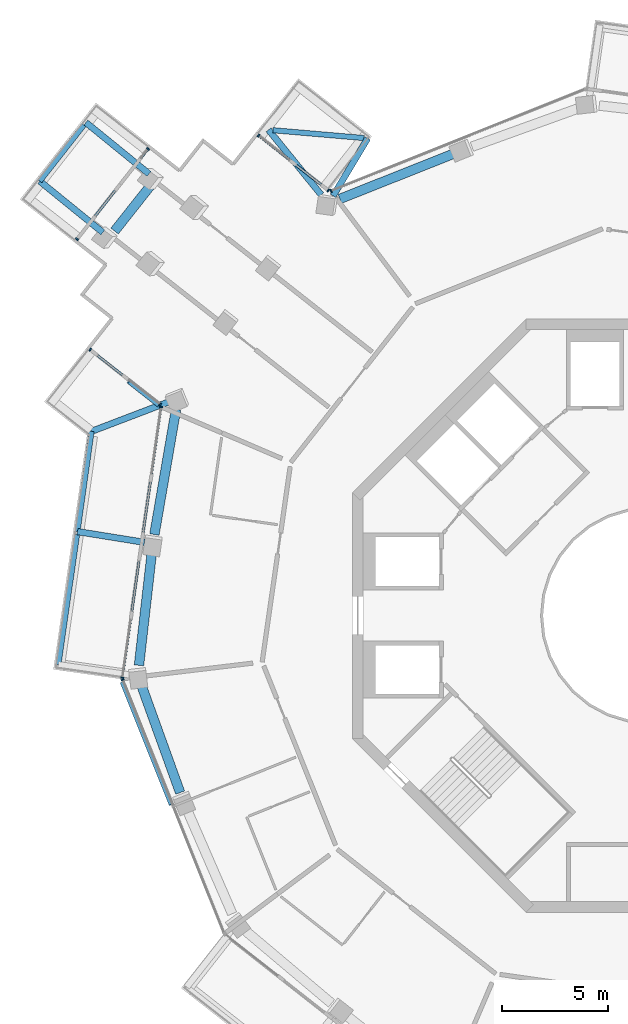
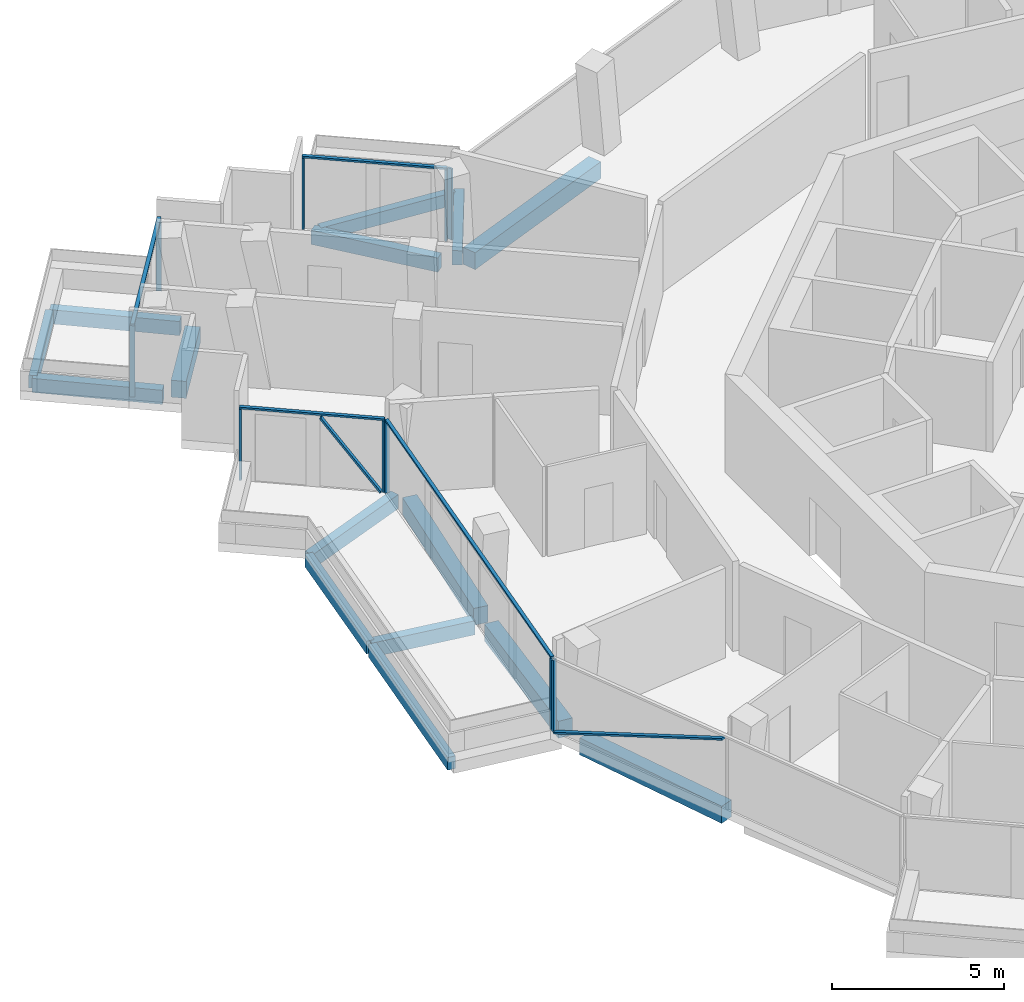
# One storey, part 6 of 23: 16 members, 15 beams, 6 elements without a shape of their own.
"""IFC4 building model written with IfcOpenShell, lengths in metres."""

from ifc_helpers import new_model, si_unit, direction, frame, origin, origin_2d, place, context, subcontext, project, spatial, rectangle, extrude, material, layer, layer_set, material_profile, profile_set, type_object, element, aggregate, save


model = new_model("IFC4")

# Units and contexts
model_context = context("Model", 3, precision=1e-05, world=origin(), true_north=direction((0.0, 1.0)))
body_context = subcontext(model_context, "Body", "Model", "MODEL_VIEW")
ifc_project = project(units=[si_unit("LENGTHUNIT", "METRE"), si_unit("AREAUNIT", "SQUARE_METRE"), si_unit("VOLUMEUNIT", "CUBIC_METRE"), si_unit("PLANEANGLEUNIT", "RADIAN"), si_unit("MASSUNIT", "GRAM", prefix="KILO")], contexts=[model_context])

# Site, building, storey
site_placement = place(None, origin())
site = spatial("IfcSite", under=ifc_project, at=site_placement, CompositionType="ELEMENT")
building_placement = place(site_placement, origin())
building = spatial("IfcBuilding", under=site, at=building_placement, Name="Verdalira Terraces Hotel", CompositionType="ELEMENT")
storey_placement = place(building_placement, frame((0.0, 0.0, 244.5)))
storey = spatial("IfcBuildingStorey", under=building, at=storey_placement, Name="L60", CompositionType="ELEMENT", Elevation=244.5)

# Beams
ifc_material_1 = material(Name="Concrete C40", Category="concrete")
ifc_material_profile_1 = material_profile(ifc_material_1, rectangle(XDim=0.300049, YDim=0.5, at=origin_2d()), Name="RC 300X500")
ifc_profile_set_1 = profile_set([ifc_material_profile_1], Name="Concrete C40")
beam_type_1 = type_object("IfcBeamType", Name="Balcony cantilever beam RC 300X500 C40", PredefinedType="BEAM", material=ifc_profile_set_1)
beam_1_placement = place(storey_placement, frame((-15.465576, 19.852539, -0.560059), z_axis=(-0.629754587, 0.776794156, 0.0), x_axis=(-0.776794156, -0.629754587, 0.0)))
element("IfcBeam", 1, at=beam_1_placement, inside=storey, type_object=beam_type_1, Name="Balcony cantilever beam R00-1", PredefinedType="BEAM", context=body_context, shape_type="SweptSolid", body=[
    extrude(rectangle(XDim=0.300049, YDim=0.5, at=origin_2d()), origin(), (0.0, 0.0, 1.0), 3.949951),
])
beam_2_placement = place(storey_placement, frame((-14.905518, 19.805176, -0.560059), z_axis=(0.514552504, 0.857458874, 0.0), x_axis=(-0.857458874, 0.514552504, 0.0)))
element("IfcBeam", 2, at=beam_2_placement, inside=storey, type_object=beam_type_1, Name="Balcony cantilever beam R00-2", PredefinedType="BEAM", context=body_context, shape_type="SweptSolid", body=[
    extrude(rectangle(XDim=0.300049, YDim=0.5, at=origin_2d()), origin(), (0.0, 0.0, 1.0), 3.16333),
])
beam_3_placement = place(storey_placement, frame((-23.592773, 20.842529, -0.560059), z_axis=(-0.775839809, 0.630929941, 0.0), x_axis=(-0.630929941, -0.775839809, 0.0)))
element("IfcBeam", 3, at=beam_3_placement, inside=storey, type_object=beam_type_1, Name="Balcony cantilever beam R05-1", PredefinedType="BEAM", context=body_context, shape_type="SweptSolid", body=[
    extrude(rectangle(XDim=0.300049, YDim=0.5, at=origin_2d()), origin(), (0.0, 0.0, 1.0), 3.841309),
])
beam_4_placement = place(storey_placement, frame((-25.771729, 18.078125, -0.560059), z_axis=(-0.775845268, 0.630923228, 0.0), x_axis=(-0.630923228, -0.775845268, 0.0)))
element("IfcBeam", 4, at=beam_4_placement, inside=storey, type_object=beam_type_1, Name="Balcony cantilever beam R05-2", PredefinedType="BEAM", context=body_context, shape_type="SweptSolid", body=[
    extrude(rectangle(XDim=0.300049, YDim=0.5, at=origin_2d()), origin(), (0.0, 0.0, 1.0), 3.835938),
])
beam_5_placement = place(storey_placement, frame((-22.612305, 10.102783, -0.560059), z_axis=(-0.934320205, -0.356434783, 0.0), x_axis=(0.356434783, -0.934320205, 0.0)))
element("IfcBeam", 5, at=beam_5_placement, inside=storey, type_object=beam_type_1, Name="Balcony cantilever beam R10-1", PredefinedType="BEAM", context=body_context, shape_type="SweptSolid", body=[
    extrude(rectangle(XDim=0.300049, YDim=0.5, at=origin_2d()), origin(), (0.0, 0.0, 1.0), 3.950195),
])
beam_6_placement = place(storey_placement, frame((-23.808594, 3.456055, -0.560059), z_axis=(-0.987357672, 0.158508131, 0.0), x_axis=(-0.158508131, -0.987357672, 0.0)))
element("IfcBeam", 6, at=beam_6_placement, inside=storey, type_object=beam_type_1, Name="Balcony cantilever beam R10-2", PredefinedType="BEAM", context=body_context, shape_type="SweptSolid", body=[
    extrude(rectangle(XDim=0.300049, YDim=0.5, at=origin_2d()), origin(), (0.0, 0.0, 1.0), 3.200684),
])
ifc_material_2 = material(Name="Concrete C40", Category="concrete")
ifc_material_profile_2 = material_profile(ifc_material_2, rectangle(XDim=0.25, YDim=0.449951, at=origin_2d()), Name="RC 250X450")
ifc_profile_set_2 = profile_set([ifc_material_profile_2], Name="Concrete C40")
beam_type_2 = type_object("IfcBeamType", Name="Balcony edge beam RC 250X450 C40", PredefinedType="BEAM", material=ifc_profile_set_2)
beam_7_placement = place(storey_placement, frame((-17.745605, 22.903076, -0.534912), z_axis=(0.996299344, -0.085951246, 0.0), x_axis=(0.085951246, 0.996299344, 0.0)))
element("IfcBeam", 7, at=beam_7_placement, inside=storey, type_object=beam_type_2, Name="Balcony edge beam R00-1", PredefinedType="BEAM", context=body_context, shape_type="SweptSolid", body=[
    extrude(rectangle(XDim=0.25, YDim=0.449951, at=origin_2d()), origin(), (0.0, 0.0, 1.0), 4.317383),
])
beam_8_placement = place(storey_placement, frame((-26.665527, 23.148193, -0.534912), z_axis=(-0.617859943, -0.786288173, 0.0), x_axis=(0.786288173, -0.617859943, 0.0)))
element("IfcBeam", 8, at=beam_8_placement, inside=storey, type_object=beam_type_2, Name="Balcony edge beam R05-1", PredefinedType="BEAM", context=body_context, shape_type="SweptSolid", body=[
    extrude(rectangle(XDim=0.25, YDim=0.449951, at=origin_2d()), origin(), (0.0, 0.0, 1.0), 3.370117),
])
beam_9_placement = place(storey_placement, frame((-26.302979, 8.694824, -0.534912), z_axis=(-0.139339384, -0.990244685, 0.0), x_axis=(0.990244685, -0.139339384, 0.0)))
element("IfcBeam", 9, at=beam_9_placement, inside=storey, type_object=beam_type_2, Name="Balcony edge beam R10-1", PredefinedType="BEAM", context=body_context, shape_type="SweptSolid", body=[
    extrude(rectangle(XDim=0.25, YDim=0.449951, at=origin_2d()), origin(), (0.0, 0.0, 1.0), 4.778076),
])
beam_10_placement = place(storey_placement, frame((-26.98999, 3.814941, -0.534912), z_axis=(-0.141961917, -0.98987212, 0.0), x_axis=(0.98987212, -0.141961917, 0.0)))
element("IfcBeam", 10, at=beam_10_placement, inside=storey, type_object=beam_type_2, Name="Balcony edge beam R10-2", PredefinedType="BEAM", context=body_context, shape_type="SweptSolid", body=[
    extrude(rectangle(XDim=0.25, YDim=0.449951, at=origin_2d()), origin(), (0.0, 0.0, 1.0), 6.196289),
])

# Curtain wall, members
ifc_material_3 = material(Name="Clear glass", Category="glass")
ifc_layer_1 = layer(ifc_material_3, 0.14990234375)
ifc_layer_set_1 = layer_set([ifc_layer_1], Name="CW1 curtain wall")
curtain_wall_type_1 = type_object("IfcCurtainWallType", Name="CW1 curtain wall", PredefinedType="NOTDEFINED", material=ifc_layer_set_1)
curtain_wall_1_placement = place(storey_placement, origin())
curtain_wall_1 = element("IfcCurtainWall", 11, at=curtain_wall_1_placement, inside=storey, type_object=curtain_wall_type_1, Name="CW1 curtain wall L60 edge 11", PredefinedType="NOTDEFINED")
ifc_material_4 = material(Name="Terracotta frame", Category="masonry")
ifc_material_profile_3 = material_profile(ifc_material_4, rectangle(XDim=0.060059, YDim=0.149902, at=origin_2d()), Name="MU 60x150")
ifc_profile_set_3 = profile_set([ifc_material_profile_3], Name="Terracotta frame")
member_type_1 = type_object("IfcMemberType", Name="CW1 mullion 60x150", PredefinedType="MULLION", material=ifc_profile_set_3)
member_1_placement = place(storey_placement, frame((-23.020264, 9.836914, 0.0), z_axis=(0.0, 0.0, 1.0), x_axis=(-0.141937905, -0.989875563, 0.0)))
member_1 = element("IfcMember", 12, at=member_1_placement, type_object=member_type_1, Name="CW1 mullion", PredefinedType="MULLION", context=body_context, shape_type="SweptSolid", body=[
    extrude(rectangle(XDim=0.060059, YDim=0.149902, at=origin_2d()), origin(), (0.0, 0.0, 1.0), 2.524902),
])
member_2_placement = place(storey_placement, frame((-24.851074, -2.932129, 0.0), z_axis=(0.0, 0.0, 1.0), x_axis=(-0.141937905, -0.989875563, 0.0)))
member_2 = element("IfcMember", 13, at=member_2_placement, type_object=member_type_1, Name="CW1 mullion", PredefinedType="MULLION", context=body_context, shape_type="SweptSolid", body=[
    extrude(rectangle(XDim=0.060059, YDim=0.149902, at=origin_2d()), origin(), (0.0, 0.0, 1.0), 2.524902),
])

# Curtain wall, member
curtain_wall_2_placement = place(storey_placement, origin())
curtain_wall_2 = element("IfcCurtainWall", 14, at=curtain_wall_2_placement, inside=storey, type_object=curtain_wall_type_1, Name="CW1 curtain wall L60 edge 12", PredefinedType="NOTDEFINED")
member_3_placement = place(storey_placement, frame((-24.8396, -3.02832, 0.0), z_axis=(0.0, 0.0, 1.0), x_axis=(0.37201595, -0.928226337, 0.0)))
member_3 = element("IfcMember", 15, at=member_3_placement, type_object=member_type_1, Name="CW1 mullion", PredefinedType="MULLION", context=body_context, shape_type="SweptSolid", body=[
    extrude(rectangle(XDim=0.060059, YDim=0.149902, at=origin_2d()), origin(), (0.0, 0.0, 1.0), 2.524902),
])

curtain_wall_3_placement = place(storey_placement, origin())
curtain_wall_3 = element("IfcCurtainWall", 16, at=curtain_wall_3_placement, inside=storey, type_object=curtain_wall_type_1, Name="CW1 curtain wall L60 edge 41", PredefinedType="NOTDEFINED")
member_4_placement = place(storey_placement, frame((-15.002197, 20.040771, 0.0), z_axis=(0.0, 0.0, 1.0), x_axis=(-0.928226337, -0.37201595, 0.0)))
member_4 = element("IfcMember", 17, at=member_4_placement, type_object=member_type_1, Name="CW1 mullion", PredefinedType="MULLION", context=body_context, shape_type="SweptSolid", body=[
    extrude(rectangle(XDim=0.060059, YDim=0.149902, at=origin_2d()), origin(), (0.0, 0.0, 1.0), 2.524902),
])
aggregate(curtain_wall_3, [member_4])

# Member
ifc_material_5 = material(Name="Terracotta frame", Category="masonry")
ifc_material_profile_4 = material_profile(ifc_material_5, rectangle(XDim=0.110107, YDim=0.064941, at=origin_2d()), Name="TR 65x110")
ifc_profile_set_4 = profile_set([ifc_material_profile_4], Name="Terracotta frame")
member_type_2 = type_object("IfcMemberType", Name="CW1 transom 65x110", PredefinedType="USERDEFINED", material=ifc_profile_set_4)
member_5_placement = place(storey_placement, frame((-23.015869, 9.866699, 2.557617), z_axis=(-0.14194617, -0.989874378, 0.0), x_axis=(0.989874378, -0.14194617, 0.0)))
member_5 = element("IfcMember", 18, at=member_5_placement, type_object=member_type_2, Name="CW1 transom", ObjectType="TRANSOM", PredefinedType="USERDEFINED", context=body_context, shape_type="SweptSolid", body=[
    extrude(rectangle(XDim=0.110107, YDim=0.064941, at=origin_2d()), origin(), (0.0, 0.0, 1.0), 12.959961),
])

aggregate(curtain_wall_1, [member_1, member_2, member_5])

# Curtain wall, members
ifc_material_6 = material(Name="Clear glass", Category="glass")
ifc_layer_2 = layer(ifc_material_6, 0.14990234375)
ifc_layer_set_2 = layer_set([ifc_layer_2], Name="CW2 curtain wall")
curtain_wall_type_2 = type_object("IfcCurtainWallType", Name="CW2 curtain wall", PredefinedType="NOTDEFINED", material=ifc_layer_set_2)
curtain_wall_4_placement = place(storey_placement, origin())
curtain_wall_4 = element("IfcCurtainWall", 19, at=curtain_wall_4_placement, inside=storey, type_object=curtain_wall_type_2, Name="CW2 curtain wall L60 edge 0", PredefinedType="NOTDEFINED")
ifc_material_7 = material(Name="Terracotta frame", Category="masonry")
ifc_material_profile_5 = material_profile(ifc_material_7, rectangle(XDim=0.070068, YDim=0.149902, at=origin_2d()), Name="MU 70x150")
ifc_profile_set_5 = profile_set([ifc_material_profile_5], Name="Terracotta frame")
member_type_3 = type_object("IfcMemberType", Name="CW2 mullion 70x150", PredefinedType="MULLION", material=ifc_profile_set_5)
member_6_placement = place(storey_placement, frame((-15.131836, 20.061768, 0.0), z_axis=(0.0, 0.0, 1.0), x_axis=(-0.786288432, 0.617859613, 0.0)))
member_6 = element("IfcMember", 20, at=member_6_placement, type_object=member_type_3, Name="CW2 mullion", PredefinedType="MULLION", context=body_context, shape_type="SweptSolid", body=[
    extrude(rectangle(XDim=0.070068, YDim=0.149902, at=origin_2d()), origin(), (0.0, 0.0, 1.0), 2.524902),
])
member_7_placement = place(storey_placement, frame((-18.427002, 22.651123, 0.0), z_axis=(0.0, 0.0, 1.0), x_axis=(-0.786288432, 0.617859613, 0.0)))
member_7 = element("IfcMember", 21, at=member_7_placement, type_object=member_type_3, Name="CW2 mullion", PredefinedType="MULLION", context=body_context, shape_type="SweptSolid", body=[
    extrude(rectangle(XDim=0.070068, YDim=0.149902, at=origin_2d()), origin(), (0.0, 0.0, 1.0), 2.524902),
])

curtain_wall_5_placement = place(storey_placement, origin())
curtain_wall_5 = element("IfcCurtainWall", 22, at=curtain_wall_5_placement, inside=storey, type_object=curtain_wall_type_2, Name="CW2 curtain wall L60 edge 10", PredefinedType="NOTDEFINED")
member_8_placement = place(storey_placement, frame((-26.366455, 12.547363, 0.0), z_axis=(0.0, 0.0, 1.0), x_axis=(0.786288432, -0.617859613, 0.0)))
member_8 = element("IfcMember", 23, at=member_8_placement, type_object=member_type_3, Name="CW2 mullion", PredefinedType="MULLION", context=body_context, shape_type="SweptSolid", body=[
    extrude(rectangle(XDim=0.070068, YDim=0.149902, at=origin_2d()), origin(), (0.0, 0.0, 1.0), 2.524902),
])
member_9_placement = place(storey_placement, frame((-23.071289, 9.958008, 0.0), z_axis=(0.0, 0.0, 1.0), x_axis=(0.786288432, -0.617859613, 0.0)))
member_9 = element("IfcMember", 24, at=member_9_placement, type_object=member_type_3, Name="CW2 mullion", PredefinedType="MULLION", context=body_context, shape_type="SweptSolid", body=[
    extrude(rectangle(XDim=0.070068, YDim=0.149902, at=origin_2d()), origin(), (0.0, 0.0, 1.0), 2.524902),
])

# Member
ifc_material_8 = material(Name="Terracotta frame", Category="masonry")
ifc_material_profile_6 = material_profile(ifc_material_8, rectangle(XDim=0.11499, YDim=0.064941, at=origin_2d()), Name="TR 65x115")
ifc_profile_set_6 = profile_set([ifc_material_profile_6], Name="Terracotta frame")
member_type_4 = type_object("IfcMemberType", Name="CW2 transom 65x115", PredefinedType="USERDEFINED", material=ifc_profile_set_6)
member_10_placement = place(storey_placement, frame((-15.104248, 20.040039, 2.557617), z_axis=(-0.786272608, 0.61787975, 0.0), x_axis=(-0.61787975, -0.786272608, 0.0)))
member_10 = element("IfcMember", 25, at=member_10_placement, type_object=member_type_4, Name="CW2 transom", ObjectType="TRANSOM", PredefinedType="USERDEFINED", context=body_context, shape_type="SweptSolid", body=[
    extrude(rectangle(XDim=0.11499, YDim=0.064941, at=origin_2d()), origin(), (0.0, 0.0, 1.0), 4.260986),
])

aggregate(curtain_wall_4, [member_6, member_7, member_10])

member_11_placement = place(storey_placement, frame((-26.394043, 12.568848, 2.557617), z_axis=(0.786300444, -0.617844326, 0.0), x_axis=(0.617844326, 0.786300444, 0.0)))
member_11 = element("IfcMember", 26, at=member_11_placement, type_object=member_type_4, Name="CW2 transom", ObjectType="TRANSOM", PredefinedType="USERDEFINED", context=body_context, shape_type="SweptSolid", body=[
    extrude(rectangle(XDim=0.11499, YDim=0.064941, at=origin_2d()), origin(), (0.0, 0.0, 1.0), 4.260986),
])

# Curtain wall, members
ifc_material_9 = material(Name="Clear glass", Category="glass")
ifc_layer_3 = layer(ifc_material_9, 0.14990234375)
ifc_layer_set_3 = layer_set([ifc_layer_3], Name="CW3 curtain wall")
curtain_wall_type_3 = type_object("IfcCurtainWallType", Name="CW3 curtain wall", PredefinedType="NOTDEFINED", material=ifc_layer_set_3)
curtain_wall_6_placement = place(storey_placement, origin())
curtain_wall_6 = element("IfcCurtainWall", 27, at=curtain_wall_6_placement, inside=storey, type_object=curtain_wall_type_3, Name="CW3 curtain wall L60 edge 5", PredefinedType="NOTDEFINED")
ifc_material_10 = material(Name="Terracotta frame", Category="masonry")
ifc_material_profile_7 = material_profile(ifc_material_10, rectangle(XDim=0.080078, YDim=0.149902, at=origin_2d()), Name="MU 80x150")
ifc_profile_set_7 = profile_set([ifc_material_profile_7], Name="Terracotta frame")
member_type_5 = type_object("IfcMemberType", Name="CW3 mullion 80x150", PredefinedType="MULLION", material=ifc_profile_set_7)
member_12_placement = place(storey_placement, frame((-23.639404, 22.022217, 0.0), z_axis=(0.0, 0.0, 1.0), x_axis=(-0.617859613, -0.786288432, 0.0)))
member_12 = element("IfcMember", 28, at=member_12_placement, type_object=member_type_5, Name="CW3 mullion", PredefinedType="MULLION", context=body_context, shape_type="SweptSolid", body=[
    extrude(rectangle(XDim=0.080078, YDim=0.149902, at=origin_2d()), origin(), (0.0, 0.0, 1.0), 2.524902),
])
member_13_placement = place(storey_placement, frame((-26.988281, 17.760742, 0.0), z_axis=(0.0, 0.0, 1.0), x_axis=(-0.617859613, -0.786288432, 0.0)))
member_13 = element("IfcMember", 29, at=member_13_placement, type_object=member_type_5, Name="CW3 mullion", PredefinedType="MULLION", context=body_context, shape_type="SweptSolid", body=[
    extrude(rectangle(XDim=0.080078, YDim=0.149902, at=origin_2d()), origin(), (0.0, 0.0, 1.0), 2.524902),
])
ifc_material_11 = material(Name="Terracotta frame", Category="masonry")
ifc_material_profile_8 = material_profile(ifc_material_11, rectangle(XDim=0.120117, YDim=0.064941, at=origin_2d()), Name="TR 65x120")
ifc_profile_set_8 = profile_set([ifc_material_profile_8], Name="Terracotta frame")
member_type_6 = type_object("IfcMemberType", Name="CW3 transom 65x120", PredefinedType="USERDEFINED", material=ifc_profile_set_8)
member_14_placement = place(storey_placement, frame((-23.614746, 22.053711, 2.557617), z_axis=(-0.617866641, -0.786282909, 0.0), x_axis=(0.786282909, -0.617866641, 0.0)))
member_14 = element("IfcMember", 30, at=member_14_placement, type_object=member_type_6, Name="CW3 transom", ObjectType="TRANSOM", PredefinedType="USERDEFINED", context=body_context, shape_type="SweptSolid", body=[
    extrude(rectangle(XDim=0.120117, YDim=0.064941, at=origin_2d()), origin(), (0.0, 0.0, 1.0), 5.5),
])
aggregate(curtain_wall_6, [member_12, member_13, member_14])

# Member
ifc_material_12 = material(Name="Terracotta frame", Category="masonry")
ifc_material_profile_9 = material_profile(ifc_material_12, rectangle(XDim=0.149902, YDim=0.060059, at=origin_2d()), Name="GB 60x150")
ifc_profile_set_9 = profile_set([ifc_material_profile_9], Name="Terracotta frame")
member_type_7 = type_object("IfcMemberType", Name="Diagonal glazing bar 60x150", PredefinedType="USERDEFINED", material=ifc_profile_set_9)
member_15_placement = place(storey_placement, frame((-24.56665, 11.017334, 2.489746), z_axis=(0.45989544, -0.361380996, -0.811110326), x_axis=(0.617858105, 0.786289617, 0.0)))
member_15 = element("IfcMember", 31, at=member_15_placement, type_object=member_type_7, Name="Diagonal glazing bar", ObjectType="GLAZING BAR", PredefinedType="USERDEFINED", context=body_context, shape_type="SweptSolid", body=[
    extrude(rectangle(XDim=0.149902, YDim=0.060059, at=origin_2d()), origin(), (0.0, 0.0, 1.0), 3.025879),
])

aggregate(curtain_wall_5, [member_8, member_9, member_11, member_15])

member_16_placement = place(storey_placement, frame((-24.884277, -3.15625, 0.028564), z_axis=(0.345832053, -0.862903107, 0.36850837), x_axis=(0.928227657, 0.372012656, 0.0)))
member_16 = element("IfcMember", 32, at=member_16_placement, type_object=member_type_7, Name="Diagonal glazing bar", ObjectType="GLAZING BAR", PredefinedType="USERDEFINED", context=body_context, shape_type="SweptSolid", body=[
    extrude(rectangle(XDim=0.149902, YDim=0.060059, at=origin_2d()), origin(), (0.0, 0.0, 1.0), 6.696533),
])

aggregate(curtain_wall_2, [member_3, member_16])

# Beams
ifc_material_13 = material(Name="Concrete C40", Category="concrete")
ifc_material_profile_10 = material_profile(ifc_material_13, rectangle(XDim=0.449951, YDim=0.600098, at=origin_2d()), Name="RC 450X600")
ifc_profile_set_10 = profile_set([ifc_material_profile_10], Name="Concrete C40")
beam_type_3 = type_object("IfcBeamType", Name="Spandrel beam RC 450X600 C40", PredefinedType="SPANDREL", material=ifc_profile_set_10)
beam_11_placement = place(storey_placement, frame((-23.475586, 20.347656, -0.610107), z_axis=(-0.620182129, -0.784457855, 0.0), x_axis=(0.784457855, -0.620182129, 0.0)))
element("IfcBeam", 33, at=beam_11_placement, inside=storey, type_object=beam_type_3, Name="Spandrel beam B01", PredefinedType="SPANDREL", context=body_context, shape_type="SweptSolid", body=[
    extrude(rectangle(XDim=0.449951, YDim=0.600098, at=origin_2d()), origin(), (0.0, 0.0, 1.0), 2.810303),
])
beam_12_placement = place(storey_placement, frame((-22.317139, 9.737061, -0.610107), z_axis=(-0.170381115, -0.98537824, 0.0), x_axis=(0.98537824, -0.170381115, 0.0)))
element("IfcBeam", 34, at=beam_12_placement, inside=storey, type_object=beam_type_3, Name="Spandrel beam B02", PredefinedType="SPANDREL", context=body_context, shape_type="SweptSolid", body=[
    extrude(rectangle(XDim=0.449951, YDim=0.600098, at=origin_2d()), origin(), (0.0, 0.0, 1.0), 5.999512),
])
beam_13_placement = place(storey_placement, frame((-23.455811, 3.01123, -0.610107), z_axis=(-0.113282366, -0.993562834, 0.0), x_axis=(0.993562834, -0.113282366, 0.0)))
element("IfcBeam", 35, at=beam_13_placement, inside=storey, type_object=beam_type_3, Name="Spandrel beam B03", PredefinedType="SPANDREL", context=body_context, shape_type="SweptSolid", body=[
    extrude(rectangle(XDim=0.449951, YDim=0.600098, at=origin_2d()), origin(), (0.0, 0.0, 1.0), 5.394287),
])
beam_14_placement = place(storey_placement, frame((-23.956299, -3.277832, -0.610107), z_axis=(0.33955553, -0.94058601, 0.0), x_axis=(0.94058601, 0.33955553, 0.0)))
element("IfcBeam", 36, at=beam_14_placement, inside=storey, type_object=beam_type_3, Name="Spandrel beam B04", PredefinedType="SPANDREL", context=body_context, shape_type="SweptSolid", body=[
    extrude(rectangle(XDim=0.449951, YDim=0.600098, at=origin_2d()), origin(), (0.0, 0.0, 1.0), 5.396729),
])
beam_15_placement = place(storey_placement, frame((-9.11377, 21.835693, -0.610107), z_axis=(-0.929311574, -0.369296627, 0.0), x_axis=(0.369296627, -0.929311574, 0.0)))
element("IfcBeam", 37, at=beam_15_placement, inside=storey, type_object=beam_type_3, Name="Spandrel beam B23", PredefinedType="SPANDREL", context=body_context, shape_type="SweptSolid", body=[
    extrude(rectangle(XDim=0.449951, YDim=0.600098, at=origin_2d()), origin(), (0.0, 0.0, 1.0), 5.892334),
])

save(model, "model.ifc")
